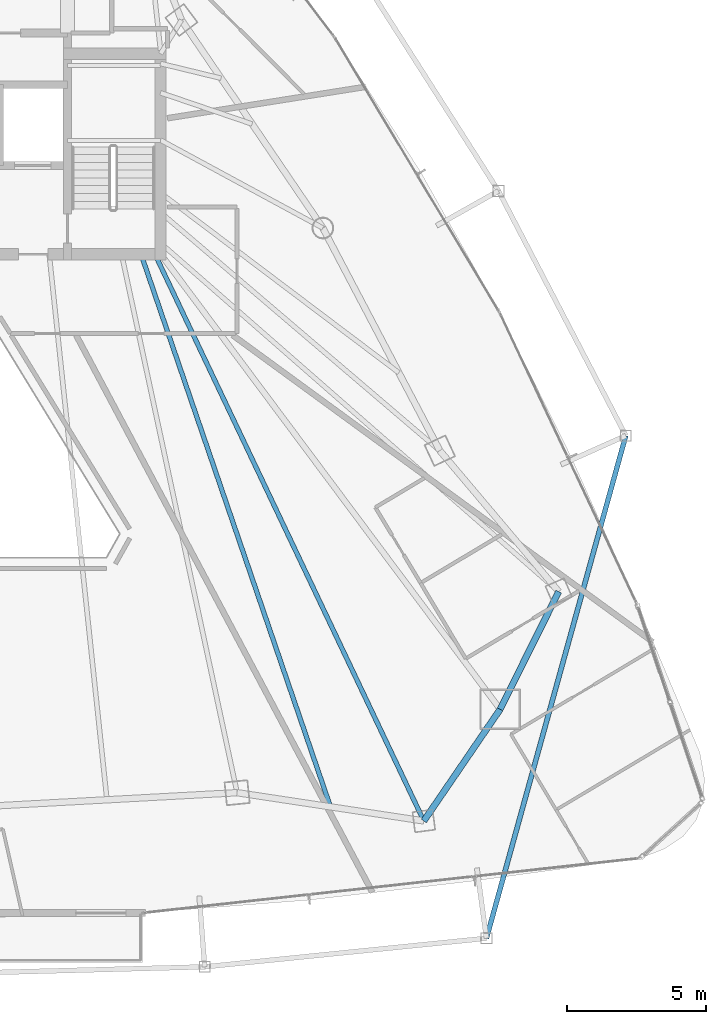
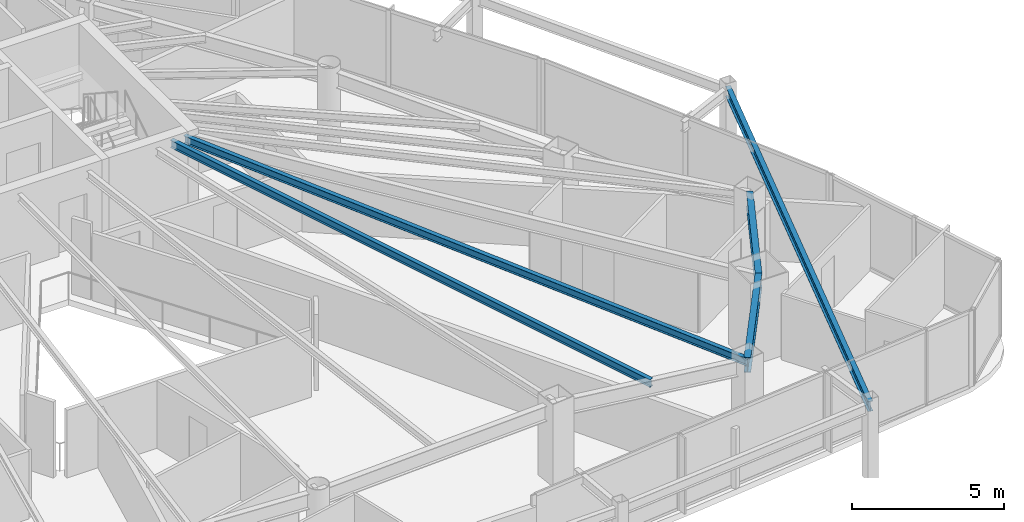
# One storey, part 13 of 33: 5 beams.
"""IFC4 building model written with IfcOpenShell, lengths in metres."""

from ifc_helpers import new_model, si_unit, direction, frame, origin, origin_2d, place, context, subcontext, project, spatial, i_section, extrude, material, material_profile, profile_set, type_object, element, save


model = new_model("IFC4")

# Units and contexts
model_context = context("Model", 3, precision=1e-05, world=origin(), true_north=direction((0.0, 1.0)))
body_context = subcontext(model_context, "Body", "Model", "MODEL_VIEW")
ifc_project = project(units=[si_unit("LENGTHUNIT", "METRE"), si_unit("AREAUNIT", "SQUARE_METRE"), si_unit("VOLUMEUNIT", "CUBIC_METRE"), si_unit("PLANEANGLEUNIT", "RADIAN"), si_unit("MASSUNIT", "GRAM", prefix="KILO")], contexts=[model_context])

# Site, building, storey
site_placement = place(None, origin())
site = spatial("IfcSite", under=ifc_project, at=site_placement, CompositionType="ELEMENT")
building_placement = place(site_placement, origin())
building = spatial("IfcBuilding", under=site, at=building_placement, Name="Orvanel Arch Residences", CompositionType="ELEMENT")
storey_placement = place(building_placement, frame((0.0, 0.0, 119.89990234375)))
storey = spatial("IfcBuildingStorey", under=building, at=storey_placement, Name="L33", CompositionType="ELEMENT", Elevation=119.89990234375)

# Beams
ifc_material = material(Name="Structural steel AS/NZS 3679.1 Grade 300 (300 MPa)", Category="steel")
ifc_material_profile_1 = material_profile(ifc_material, i_section(OverallWidth=0.1650390625, OverallDepth=0.303955078125, WebThickness=0.006103515625, FlangeThickness=0.01025390625, at=origin_2d()), Name="310UB40.4")
ifc_profile_set_1 = profile_set([ifc_material_profile_1], Name="Structural steel AS/NZS 3679.1 Grade 300 (300 MPa)")
beam_type_1 = type_object("IfcBeamType", Name="BJ-310UB", PredefinedType="JOIST", material=ifc_profile_set_1)
beam_1_placement = place(storey_placement, frame((39.39990234375, 26.699951171875, 2.908203125), z_axis=(0.428614365266, -0.903487534993, 0.0), x_axis=(0.903487534993, 0.428614365266, 0.0)))
element("IfcBeam", 1, at=beam_1_placement, inside=storey, type_object=beam_type_1, Name="L33 MSE Wing Floor Joist", PredefinedType="JOIST", context=body_context, shape_type="SweptSolid", body=[
    extrude(i_section(OverallWidth=0.1650390625, OverallDepth=0.303955078125, WebThickness=0.006103515625, FlangeThickness=0.01025390625, at=origin_2d()), origin(), (0.0, 0.0, 1.0), 22.535888671875),
])
beam_2_placement = place(storey_placement, frame((38.89990234375, 26.699951171875, 2.908203125), z_axis=(0.324257108963, -0.945968988544, 0.0), x_axis=(0.945968988544, 0.324257108963, 0.0)))
element("IfcBeam", 2, at=beam_2_placement, inside=storey, type_object=beam_type_1, Name="L33 JADD2 Wing Floor Joist", PredefinedType="JOIST", context=body_context, shape_type="SweptSolid", body=[
    extrude(i_section(OverallWidth=0.1650390625, OverallDepth=0.303955078125, WebThickness=0.006103515625, FlangeThickness=0.01025390625, at=origin_2d()), origin(), (0.0, 0.0, 1.0), 20.987060546875),
])
ifc_material_profile_2 = material_profile(ifc_material, i_section(OverallWidth=0.177978515625, OverallDepth=0.406005859375, WebThickness=0.0078125, FlangeThickness=0.0126953125, at=origin_2d()), Name="410UB59.7")
ifc_profile_set_2 = profile_set([ifc_material_profile_2], Name="Structural steel AS/NZS 3679.1 Grade 300 (300 MPa)")
beam_type_2 = type_object("IfcBeamType", Name="OB-410UB-EXT", PredefinedType="SPANDREL", material=ifc_profile_set_2)
beam_3_placement = place(storey_placement, frame((51.30908203125, 2.125, 2.857177734375), z_axis=(0.267151256857, 0.963654609266, 0.0), x_axis=(-0.963654609266, 0.267151256857, 0.0)))
element("IfcBeam", 3, at=beam_3_placement, inside=storey, type_object=beam_type_2, Name="L33 Outer Perimeter Floor Ring Beam 08", PredefinedType="SPANDREL", context=body_context, shape_type="SweptSolid", body=[
    extrude(i_section(OverallWidth=0.177978515625, OverallDepth=0.406005859375, WebThickness=0.0078125, FlangeThickness=0.0126953125, at=origin_2d()), origin(), (0.0, 0.0, 1.0), 18.738037109375),
])
ifc_material_profile_3 = material_profile(ifc_material, i_section(OverallWidth=0.22900390625, OverallDepth=0.612060546875, WebThickness=0.011962890625, FlangeThickness=0.01953125, at=origin_2d()), Name="610UB125")
ifc_profile_set_3 = profile_set([ifc_material_profile_3], Name="Structural steel AS/NZS 3679.1 Grade 300 (300 MPa)")
beam_type_3 = type_object("IfcBeamType", Name="SP-610UB", PredefinedType="SPANDREL", material=ifc_profile_set_3)
beam_4_placement = place(storey_placement, frame((49.05908203125, 6.339111328125, 2.754150390625), z_axis=(0.564251579852, 0.825602903722, 0.0), x_axis=(-0.825602903722, 0.564251579852, 0.0)))
element("IfcBeam", 4, at=beam_4_placement, inside=storey, type_object=beam_type_3, Name="L33 Perimeter Spandrel Beam 08", PredefinedType="SPANDREL", context=body_context, shape_type="SweptSolid", body=[
    extrude(i_section(OverallWidth=0.22900390625, OverallDepth=0.612060546875, WebThickness=0.011962890625, FlangeThickness=0.01953125, at=origin_2d()), origin(), (0.0, 0.0, 1.0), 4.859375),
])
beam_5_placement = place(storey_placement, frame((51.801025390625, 10.35107421875, 2.754150390625), z_axis=(0.44543469453, 0.895314432425, 0.0), x_axis=(-0.895314432425, 0.44543469453, 0.0)))
element("IfcBeam", 5, at=beam_5_placement, inside=storey, type_object=beam_type_3, Name="L33 Perimeter Spandrel Beam 09", PredefinedType="SPANDREL", context=body_context, shape_type="SweptSolid", body=[
    extrude(i_section(OverallWidth=0.22900390625, OverallDepth=0.612060546875, WebThickness=0.011962890625, FlangeThickness=0.01953125, at=origin_2d()), origin(), (0.0, 0.0, 1.0), 4.723388671875),
])

save(model, "model.ifc")
